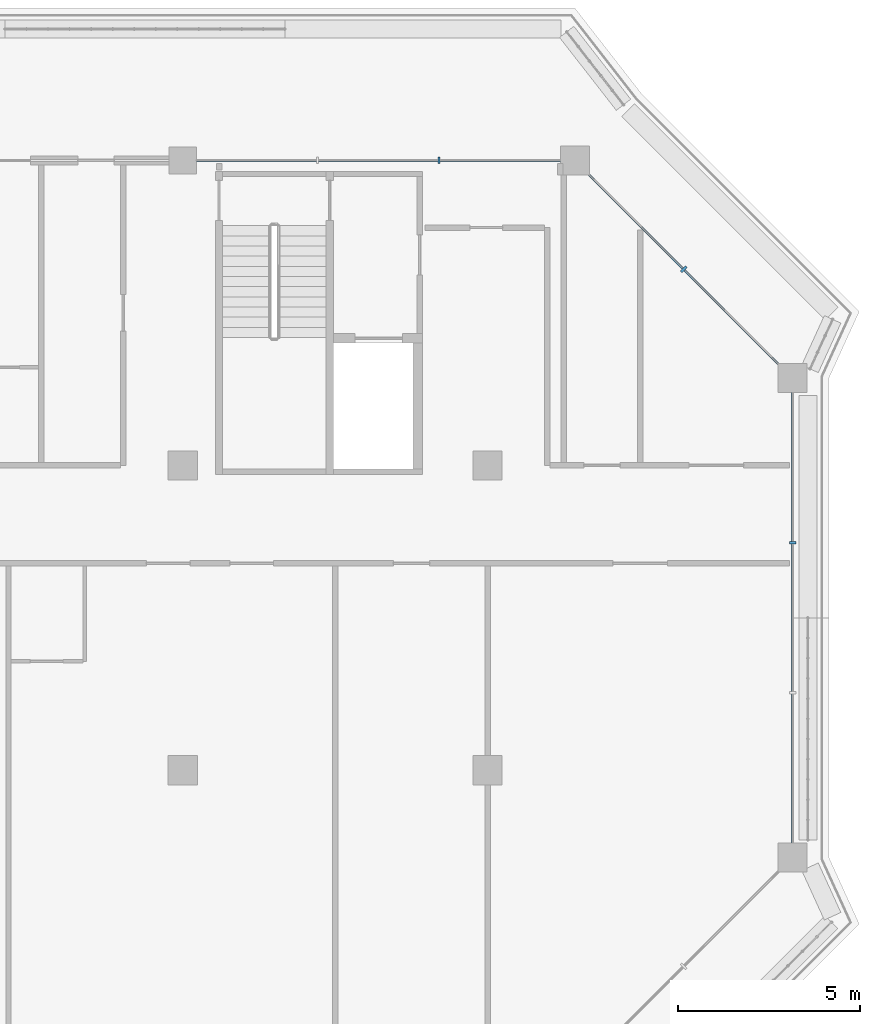
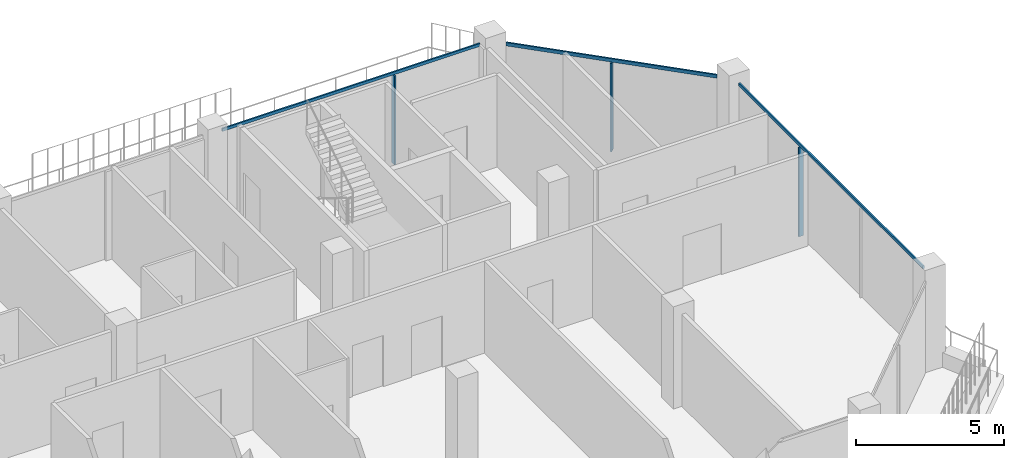
# One storey, part 7 of 20: 6 members, 3 elements without a shape of their own.
"""IFC4 building model written with IfcOpenShell, lengths in metres."""

from ifc_helpers import new_model, si_unit, direction, frame, origin, origin_2d, place, context, subcontext, project, spatial, rectangle, extrude, material, layer, layer_set, material_profile, profile_set, type_object, element, aggregate, save


model = new_model("IFC4")

# Units and contexts
model_context = context("Model", 3, precision=1e-05, world=origin(), true_north=direction((0.0, 1.0)))
body_context = subcontext(model_context, "Body", "Model", "MODEL_VIEW")
ifc_project = project(units=[si_unit("LENGTHUNIT", "METRE"), si_unit("AREAUNIT", "SQUARE_METRE"), si_unit("VOLUMEUNIT", "CUBIC_METRE"), si_unit("PLANEANGLEUNIT", "RADIAN"), si_unit("MASSUNIT", "GRAM", prefix="KILO")], contexts=[model_context])

# Site, building, storey
site_placement = place(None, origin())
site = spatial("IfcSite", under=ifc_project, at=site_placement, CompositionType="ELEMENT")
building_placement = place(site_placement, origin())
building = spatial("IfcBuilding", under=site, at=building_placement, Name="Kawkab Arch Medical Tower", CompositionType="ELEMENT")
storey_placement = place(building_placement, frame((0.0, 0.0, 328.0)))
storey = spatial("IfcBuildingStorey", under=building, at=storey_placement, Name="L76", CompositionType="ELEMENT", Elevation=328.0)

# Curtain wall, member
ifc_material_1 = material(Name="Bronze anodised aluminium curtain wall frame", Category="aluminium")
ifc_layer_1 = layer(ifc_material_1, 0.159912109375)
ifc_layer_set_1 = layer_set([ifc_layer_1], Name="Bronze anodised aluminium curtain wall frame")
curtain_wall_type_1 = type_object("IfcCurtainWallType", Name="CW1 ward curtain wall", PredefinedType="NOTDEFINED", material=ifc_layer_set_1)
placement = place(storey_placement, origin())
curtain_wall_1 = element("IfcCurtainWall", 1, at=placement, inside=storey, type_object=curtain_wall_type_1, Name="CW1 Ward curtain wall R13", PredefinedType="NOTDEFINED")
ifc_material_2 = material(Name="Bronze anodised aluminium curtain wall frame", Category="aluminium")
ifc_material_profile_1 = material_profile(ifc_material_2, rectangle(XDim=0.179931640625, YDim=0.06005859375, at=origin_2d()), Name="AL 60x180")
ifc_profile_set_1 = profile_set([ifc_material_profile_1], Name="Bronze anodised aluminium curtain wall frame")
member_type_1 = type_object("IfcMemberType", Name="CW1 mullion 60 x 180", PredefinedType="MULLION", material=ifc_profile_set_1)
member_1_placement = place(storey_placement, frame((58.800048828125, -10.533447265625, 0.0), z_axis=(0.0, 0.0, 1.0), x_axis=(-1.0, 0.0, 0.0)))
member_1 = element("IfcMember", 2, at=member_1_placement, type_object=member_type_1, Name="CW1 mullion 1.2", PredefinedType="MULLION", context=body_context, shape_type="SweptSolid", body=[
    extrude(rectangle(XDim=0.179931640625, YDim=0.06005859375, at=origin_2d()), origin(), (0.0, 0.0, 1.0), 3.659912109375),
])

curtain_wall_2 = element("IfcCurtainWall", 3, at=placement, inside=storey, type_object=curtain_wall_type_1, Name="CW1 Ward curtain wall R15", PredefinedType="NOTDEFINED")
member_2_placement = place(storey_placement, frame((49.058349609375, 0.0, 0.0), z_axis=(0.0, 0.0, 1.0), x_axis=(0.0, -1.0, 0.0)))
member_2 = element("IfcMember", 4, at=member_2_placement, type_object=member_type_1, Name="CW1 mullion 1.1", PredefinedType="MULLION", context=body_context, shape_type="SweptSolid", body=[
    extrude(rectangle(XDim=0.179931640625, YDim=0.06005859375, at=origin_2d()), origin(), (0.0, 0.0, 1.0), 3.659912109375),
])

# Member
ifc_material_3 = material(Name="Bronze anodised aluminium curtain wall frame", Category="aluminium")
ifc_material_profile_2 = material_profile(ifc_material_3, rectangle(XDim=0.06005859375, YDim=0.1201171875, at=origin_2d()), Name="AL 60x120")
ifc_profile_set_2 = profile_set([ifc_material_profile_2], Name="Bronze anodised aluminium curtain wall frame")
member_type_2 = type_object("IfcMemberType", Name="CW1 transom 120 x 60", PredefinedType="USERDEFINED", material=ifc_profile_set_2)
member_3_placement = place(storey_placement, frame((58.800048828125, -18.800048828125, 3.719970703125), z_axis=(0.0, 1.0, 0.0), x_axis=(-1.0, 0.0, 0.0)))
member_3 = element("IfcMember", 5, at=member_3_placement, type_object=member_type_2, Name="CW1 transom 1", ObjectType="TRANSOM", PredefinedType="USERDEFINED", context=body_context, shape_type="SweptSolid", body=[
    extrude(rectangle(XDim=0.06005859375, YDim=0.1201171875, at=origin_2d()), origin(), (0.0, 0.0, 1.0), 12.400146484375),
])

aggregate(curtain_wall_1, [member_3, member_1])

member_4_placement = place(storey_placement, frame((52.39990234375, 0.0, 3.719970703125), z_axis=(-1.0, 0.0, 0.0), x_axis=(0.0, -1.0, 0.0)))
member_4 = element("IfcMember", 6, at=member_4_placement, type_object=member_type_2, Name="CW1 transom 1", ObjectType="TRANSOM", PredefinedType="USERDEFINED", context=body_context, shape_type="SweptSolid", body=[
    extrude(rectangle(XDim=0.06005859375, YDim=0.1201171875, at=origin_2d()), origin(), (0.0, 0.0, 1.0), 10.02490234375),
])

aggregate(curtain_wall_2, [member_4, member_2])

# Curtain wall, members
ifc_material_4 = material(Name="Bronze anodised aluminium curtain wall frame", Category="aluminium")
ifc_layer_2 = layer(ifc_material_4, 0.159912109375)
ifc_layer_set_2 = layer_set([ifc_layer_2], Name="Bronze anodised aluminium curtain wall frame")
curtain_wall_type_2 = type_object("IfcCurtainWallType", Name="CW2 chamfer curtain wall", PredefinedType="NOTDEFINED", material=ifc_layer_set_2)
curtain_wall_3 = element("IfcCurtainWall", 7, at=placement, inside=storey, type_object=curtain_wall_type_2, Name="CW2 Chamfer curtain wall R14", PredefinedType="NOTDEFINED")
ifc_material_5 = material(Name="Bronze anodised aluminium curtain wall frame", Category="aluminium")
ifc_material_profile_3 = material_profile(ifc_material_5, rectangle(XDim=0.199951171875, YDim=0.06005859375, at=origin_2d()), Name="AL 60x200")
ifc_profile_set_3 = profile_set([ifc_material_profile_3], Name="Bronze anodised aluminium curtain wall frame")
member_type_3 = type_object("IfcMemberType", Name="CW2 mullion 60 x 200", PredefinedType="MULLION", material=ifc_profile_set_3)
member_5_placement = place(storey_placement, frame((55.800048828125, -3.0, 0.0), z_axis=(0.0, 0.0, 1.0), x_axis=(-0.707106781187, -0.707106781187, 0.0)))
member_5 = element("IfcMember", 8, at=member_5_placement, type_object=member_type_3, Name="CW2 mullion 1.1", PredefinedType="MULLION", context=body_context, shape_type="SweptSolid", body=[
    extrude(rectangle(XDim=0.199951171875, YDim=0.06005859375, at=origin_2d()), origin(), (0.0, 0.0, 1.0), 3.639892578125),
])
ifc_material_6 = material(Name="Bronze anodised aluminium curtain wall frame", Category="aluminium")
ifc_material_profile_4 = material_profile(ifc_material_6, rectangle(XDim=0.06005859375, YDim=0.139892578125, at=origin_2d()), Name="AL 60x140")
ifc_profile_set_4 = profile_set([ifc_material_profile_4], Name="Bronze anodised aluminium curtain wall frame")
member_type_4 = type_object("IfcMemberType", Name="CW2 transom 140 x 60", PredefinedType="USERDEFINED", material=ifc_profile_set_4)
member_6_placement = place(storey_placement, frame((58.39990234375, -5.60009765625, 3.7099609375), z_axis=(-0.707090181851, 0.707123380132, 0.0), x_axis=(-0.707123380132, -0.707090181851, 0.0)))
member_6 = element("IfcMember", 9, at=member_6_placement, type_object=member_type_4, Name="CW2 transom 1", ObjectType="TRANSOM", PredefinedType="USERDEFINED", context=body_context, shape_type="SweptSolid", body=[
    extrude(rectangle(XDim=0.06005859375, YDim=0.139892578125, at=origin_2d()), origin(), (0.0, 0.0, 1.0), 7.35400390625),
])
aggregate(curtain_wall_3, [member_6, member_5])

save(model, "model.ifc")
